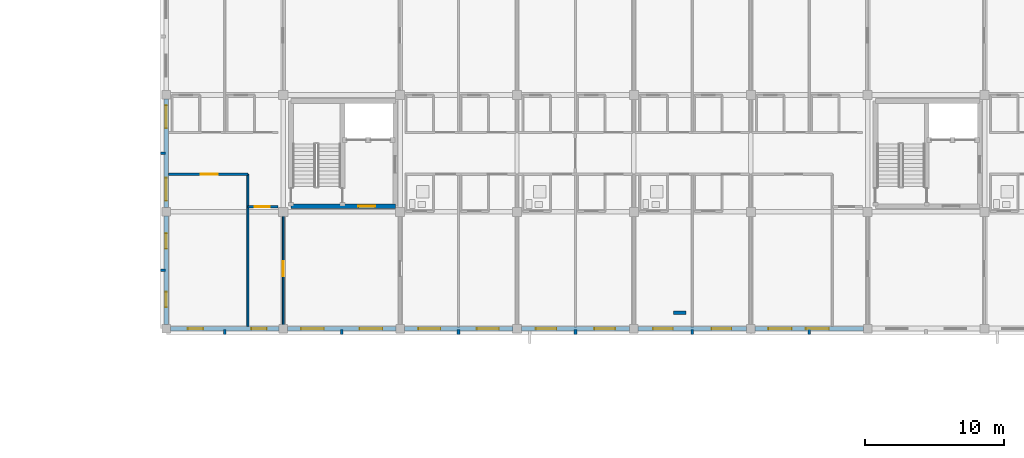
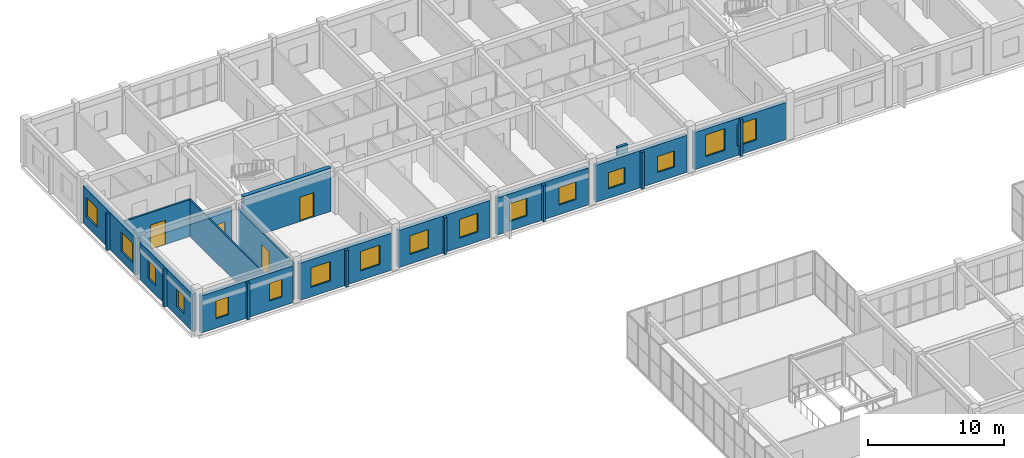
# One storey, part 65 of 81: 22 walls, 16 windows, 4 doors, 20 openings.
"""IFC4 building model written with IfcOpenShell, lengths in metres."""

from ifc_helpers import new_model, si_unit, direction, frame, frame_2d, origin, place, context, subcontext, project, spatial, rectangle, extrude, material, layer, layer_set, type_object, element, fill, save


model = new_model("IFC4")

# Units and contexts
model_context = context("Model", 3, precision=1e-05, world=origin(), true_north=direction((0.0, 1.0)))
body_context = subcontext(model_context, "Body", "Model", "MODEL_VIEW")
ifc_project = project(units=[si_unit("LENGTHUNIT", "METRE"), si_unit("AREAUNIT", "SQUARE_METRE"), si_unit("VOLUMEUNIT", "CUBIC_METRE"), si_unit("PLANEANGLEUNIT", "RADIAN"), si_unit("MASSUNIT", "GRAM", prefix="KILO")], contexts=[model_context])

# Site, building, storey
site_placement = place(None, origin())
site = spatial("IfcSite", under=ifc_project, at=site_placement, CompositionType="ELEMENT")
building_placement = place(site_placement, origin())
building = spatial("IfcBuilding", under=site, at=building_placement, Name="Trelvath General Hospital", CompositionType="ELEMENT")
storey_placement = place(building_placement, frame((0.0, 0.0, 24.60009765625)))
storey = spatial("IfcBuildingStorey", under=building, at=storey_placement, Name="L06", CompositionType="ELEMENT", Elevation=24.60009765625)

# Walls
ifc_material_1 = material(Name="Precast concrete C40/50", Category="concrete")
ifc_layer_1 = layer(ifc_material_1, 0.199951171875)
ifc_layer_set_1 = layer_set([ifc_layer_1], Name="Precast concrete C40/50")
wall_type_1 = type_object("IfcWallType", Name="BriseSoleilRib 200", PredefinedType="ELEMENTEDWALL", material=ifc_layer_set_1)
for number, where, z_axis, x_axis, name in (
    (1, (37.800048828125, 92.324951171875, 0.0), (0.0, 0.0, 1.0), (0.0, -1.0, 0.0), "Precast Concrete Brise-Soleil Rib Fin L06-412"),
    (2, (33.52490234375, 96.60009765625, 0.0), (0.0, 0.0, 1.0), (-1.0, 0.0, 0.0), "Precast Concrete Brise-Soleil Rib Fin L06-413"),
    (3, (33.52490234375, 105.0, 0.0), (0.0, 0.0, 1.0), (-1.0, 0.0, 0.0), "Precast Concrete Brise-Soleil Rib Fin L06-414"),
    (4, (46.199951171875, 92.324951171875, 0.0), (0.0, 0.0, 1.0), (0.0, -1.0, 0.0), "Precast Concrete Brise-Soleil Rib Fin L06-418"),
    (5, (54.60009765625, 92.324951171875, 0.0), (0.0, 0.0, 1.0), (0.0, -1.0, 0.0), "Precast Concrete Brise-Soleil Rib Fin L06-421"),
    (6, (63.0, 92.324951171875, 0.0), (0.0, 0.0, 1.0), (0.0, -1.0, 0.0), "Precast Concrete Brise-Soleil Rib Fin L06-425"),
    (7, (71.39990234375, 92.324951171875, 0.0), (0.0, 0.0, 1.0), (0.0, -1.0, 0.0), "Precast Concrete Brise-Soleil Rib Fin L06-429"),
    (8, (79.800048828125, 92.324951171875, 0.0), (0.0, 0.0, 1.0), (0.0, -1.0, 0.0), "Precast Concrete Brise-Soleil Rib Fin L06-433"),
):
    element("IfcWall", number, at=place(storey_placement, frame(where, z_axis=z_axis, x_axis=x_axis)), inside=storey, type_object=wall_type_1, Name=name, PredefinedType="ELEMENTEDWALL", context=body_context, shape_type="SweptSolid", body=[
        extrude(rectangle(XDim=0.33984375, YDim=0.199951171875, at=frame_2d((0.169921875, 0.0))), origin(), (0.0, 0.0, 1.0), 3.31982421875),
    ])

# Wall, opening, door
ifc_material_2 = material(Name="Gypsum acoustic steel-stud partition", Category="steel")
ifc_layer_2 = layer(ifc_material_2, 0.14990234375)
ifc_layer_set_2 = layer_set([ifc_layer_2], Name="Gypsum acoustic steel-stud partition")
wall_type_2 = type_object("IfcWallType", Name="ClinicalPartition 150", PredefinedType="PARTITIONING", material=ifc_layer_set_2)
wall_1_placement = place(storey_placement, frame((33.739990234375, 103.5, 0.0), z_axis=(0.0, 0.0, 1.0), x_axis=(1.0, 0.0, 0.0)))
wall_1 = element("IfcWall", 9, at=wall_1_placement, inside=storey, type_object=wall_type_2, Name="Nurse Station Partition L06-2156", PredefinedType="PARTITIONING", context=body_context, shape_type="SweptSolid", body=[
    extrude(rectangle(XDim=5.719970703125, YDim=0.14990234375, at=frame_2d((2.85986328125, 0.0))), origin(), (0.0, 0.0, 1.0), 3.31982421875),
])
opening_1_placement = place(wall_1_placement, frame((2.320068359375, 0.0, 0.0)))
opening_1 = element("IfcOpeningElement", 10, at=opening_1_placement, cuts=wall_1, Name="Opening D-6-1371", PredefinedType="OPENING", context=body_context, shape_type="SweptSolid", body=[
    extrude(rectangle(XDim=1.25, YDim=2.199951171875, at=frame_2d((0.625, 1.10009765625))), frame((0.0, 0.0849609375, 0.0), z_axis=(0.0, -1.0, 0.0), x_axis=(1.0, 0.0, 0.0)), (0.0, 0.0, 1.0), 0.169921875),
])
ifc_material_3 = material(Name="Acoustic hospital timber leaf", Category="wood")
door_type_1 = type_object("IfcDoorType", Name="Door Treatment 1250x2200", OperationType="NOTDEFINED", PredefinedType="DOOR", material=ifc_material_3)
door_1_placement = place(opening_1_placement, origin())
door_1 = element("IfcDoor", 11, at=door_1_placement, inside=storey, type_object=door_type_1, Name="Nurse Station Door L06-1371", OperationType="SINGLE_SWING_LEFT", OverallHeight=2.199951171875, OverallWidth=1.25, PredefinedType="DOOR", context=body_context, shape_type="SweptSolid", body=[
    extrude(rectangle(XDim=1.25, YDim=2.199951171875, at=frame_2d((0.625, 1.10009765625))), frame((0.0, 0.02490234375, 0.0), z_axis=(0.0, -1.0, 0.0), x_axis=(1.0, 0.0, 0.0)), (0.0, 0.0, 1.0), 0.050048828125),
])
fill(opening_1, door_1)

wall_2_placement = place(storey_placement, frame((39.4599609375, 101.159912109375, 0.0), z_axis=(0.0, 0.0, 1.0), x_axis=(1.0, 0.0, 0.0)))
wall_2 = element("IfcWall", 12, at=wall_2_placement, inside=storey, type_object=wall_type_2, Name="Clean Utility Partition L06-2158", PredefinedType="PARTITIONING", context=body_context, shape_type="SweptSolid", body=[
    extrude(rectangle(XDim=2.179931640625, YDim=0.14990234375, at=frame_2d((1.08984375, 0.0))), origin(), (0.0, 0.0, 1.0), 3.31982421875),
])
opening_2_placement = place(wall_2_placement, frame((0.5, 0.0, 0.0)))
opening_2 = element("IfcOpeningElement", 13, at=opening_2_placement, cuts=wall_2, Name="Opening D-6-1372", PredefinedType="OPENING", context=body_context, shape_type="SweptSolid", body=[
    extrude(rectangle(XDim=1.080078125, YDim=2.14990234375, at=frame_2d((0.5400390625, 1.074951171875))), frame((0.0, 0.0849609375, 0.0), z_axis=(0.0, -1.0, 0.0), x_axis=(1.0, 0.0, 0.0)), (0.0, 0.0, 1.0), 0.169921875),
])
ifc_material_4 = material(Name="Acoustic hospital timber leaf", Category="wood")
door_type_2 = type_object("IfcDoorType", Name="Door CleanSupply 1080x2150", OperationType="NOTDEFINED", PredefinedType="DOOR", material=ifc_material_4)
door_2_placement = place(opening_2_placement, origin())
door_2 = element("IfcDoor", 14, at=door_2_placement, inside=storey, type_object=door_type_2, Name="Clean Utility Door L06-1372", OperationType="SINGLE_SWING_RIGHT", OverallHeight=2.14990234375, OverallWidth=1.080078125, PredefinedType="DOOR", context=body_context, shape_type="SweptSolid", body=[
    extrude(rectangle(XDim=1.080078125, YDim=2.14990234375, at=frame_2d((0.5400390625, 1.074951171875))), frame((0.0, 0.02490234375, 0.0), z_axis=(0.0, -1.0, 0.0), x_axis=(1.0, 0.0, 0.0)), (0.0, 0.0, 1.0), 0.050048828125),
])
fill(opening_2, door_2)

ifc_material_5 = material(Name="Concrete C40/50", Category="concrete")
ifc_layer_3 = layer(ifc_material_5, 0.35009765625)
ifc_layer_set_3 = layer_set([ifc_layer_3], Name="Concrete C40/50")
wall_type_3 = type_object("IfcWallType", Name="CoreShearWall 350", PredefinedType="SHEAR", material=ifc_layer_set_3)
wall_3_placement = place(storey_placement, frame((42.550048828125, 101.199951171875, 0.0), z_axis=(0.0, 0.0, 1.0), x_axis=(1.0, 0.0, 0.0)))
wall_3 = element("IfcWall", 15, at=wall_3_placement, inside=storey, type_object=wall_type_3, Name="Core Shear Wall C1 S L06", PredefinedType="SHEAR", context=body_context, shape_type="SweptSolid", body=[
    extrude(rectangle(XDim=7.5, YDim=0.35009765625, at=frame_2d((3.75, 0.0))), origin(), (0.0, 0.0, 1.0), 3.919921875),
])
opening_3_placement = place(wall_3_placement, frame((4.85009765625, 0.0, 0.0)))
opening_3 = element("IfcOpeningElement", 16, at=opening_3_placement, cuts=wall_3, Name="Opening FD-LS16", PredefinedType="OPENING", context=body_context, shape_type="SweptSolid", body=[
    extrude(rectangle(XDim=1.199951171875, YDim=2.199951171875, at=frame_2d((0.60009765625, 1.10009765625))), frame((0.0, 0.18505859375, 0.0), z_axis=(0.0, -1.0, 0.0), x_axis=(1.0, 0.0, 0.0)), (0.0, 0.0, 1.0), 0.3701171875),
])
ifc_material_6 = material(Name="Fire-rated steel door", Category="steel")
door_type_3 = type_object("IfcDoorType", Name="Door FireLobby 1200x2200", OperationType="NOTDEFINED", PredefinedType="DOOR", material=ifc_material_6)
door_3_placement = place(opening_3_placement, origin())
door_3 = element("IfcDoor", 17, at=door_3_placement, inside=storey, type_object=door_type_3, Name="Fire Lobby South Door C1 L06", OperationType="SINGLE_SWING_RIGHT", OverallHeight=2.199951171875, OverallWidth=1.199951171875, PredefinedType="DOOR", context=body_context, shape_type="SweptSolid", body=[
    extrude(rectangle(XDim=1.199951171875, YDim=2.199951171875, at=frame_2d((0.60009765625, 1.10009765625))), frame((0.0, 0.02490234375, 0.0), z_axis=(0.0, -1.0, 0.0), x_axis=(1.0, 0.0, 0.0)), (0.0, 0.0, 1.0), 0.050048828125),
])
fill(opening_3, door_3)

# Wall, openings, windows
ifc_material_7 = material(Name="Concrete C35/45", Category="concrete")
ifc_layer_4 = layer(ifc_material_7, 0.320068359375)
ifc_layer_set_4 = layer_set([ifc_layer_4], Name="Concrete C35/45")
wall_type_4 = type_object("IfcWallType", Name="ExtThermalWall 320", PredefinedType="SOLIDWALL", material=ifc_layer_set_4)
wall_4_placement = place(storey_placement, frame((41.695068359375, 92.39990234375, 0.0), z_axis=(0.0, 0.0, 1.0), x_axis=(-1.0, 0.0, 0.0)))
wall_4 = element("IfcWall", 18, at=wall_4_placement, inside=storey, type_object=wall_type_4, Name="Exterior Concrete Wall L06-555", PredefinedType="SOLIDWALL", context=body_context, shape_type="SweptSolid", body=[
    extrude(rectangle(XDim=7.7900390625, YDim=0.320068359375, at=frame_2d((3.89501953125, 0.0))), origin(), (0.0, 0.0, 1.0), 3.33984375),
])
opening_4_placement = place(wall_4_placement, frame((0.889892578125, 0.0, 0.85009765625)))
opening_4 = element("IfcOpeningElement", 19, at=opening_4_placement, cuts=wall_4, Name="Opening WN-6-925", PredefinedType="OPENING", context=body_context, shape_type="SweptSolid", body=[
    extrude(rectangle(XDim=1.10009765625, YDim=1.60009765625, at=frame_2d((0.550048828125, 0.800048828125))), frame((0.0, 0.169921875, 0.0), z_axis=(0.0, -1.0, 0.0), x_axis=(1.0, 0.0, 0.0)), (0.0, 0.0, 1.0), 0.340087890625),
])
opening_5_placement = place(wall_4_placement, frame((5.4482421875, 0.0, 0.85009765625)))
opening_5 = element("IfcOpeningElement", 20, at=opening_5_placement, cuts=wall_4, Name="Opening WN-6-926", PredefinedType="OPENING", context=body_context, shape_type="SweptSolid", body=[
    extrude(rectangle(XDim=1.10009765625, YDim=1.60009765625, at=frame_2d((0.550048828125, 0.800048828125))), frame((0.0, 0.169921875, 0.0), z_axis=(0.0, -1.0, 0.0), x_axis=(1.0, 0.0, 0.0)), (0.0, 0.0, 1.0), 0.340087890625),
])
ifc_material_8 = material(Name="Low-E laminated glass", Category="glass")
window_type_1 = type_object("IfcWindowType", Name="Window DeepReveal 1100x1600", PartitioningType="SINGLE_PANEL", PredefinedType="WINDOW", material=ifc_material_8)
window_1_placement = place(opening_4_placement, origin())
window_1 = element("IfcWindow", 21, at=window_1_placement, inside=storey, type_object=window_type_1, Name="Solar Reveal Window L06-925", OverallHeight=1.60009765625, OverallWidth=1.10009765625, PartitioningType="SINGLE_PANEL", PredefinedType="WINDOW", context=body_context, shape_type="SweptSolid", body=[
    extrude(rectangle(XDim=1.10009765625, YDim=1.60009765625, at=frame_2d((0.550048828125, 0.800048828125))), frame((0.0, 0.030029296875, 0.0), z_axis=(0.0, -1.0, 0.0), x_axis=(1.0, 0.0, 0.0)), (0.0, 0.0, 1.0), 0.06005859375),
])
fill(opening_4, window_1)
window_2_placement = place(opening_5_placement, origin())
window_2 = element("IfcWindow", 22, at=window_2_placement, inside=storey, type_object=window_type_1, Name="Solar Reveal Window L06-926", OverallHeight=1.60009765625, OverallWidth=1.10009765625, PartitioningType="SINGLE_PANEL", PredefinedType="WINDOW", context=body_context, shape_type="SweptSolid", body=[
    extrude(rectangle(XDim=1.10009765625, YDim=1.60009765625, at=frame_2d((0.550048828125, 0.800048828125))), frame((0.0, 0.030029296875, 0.0), z_axis=(0.0, -1.0, 0.0), x_axis=(1.0, 0.0, 0.0)), (0.0, 0.0, 1.0), 0.06005859375),
])
fill(opening_5, window_2)

wall_5_placement = place(storey_placement, frame((33.60009765625, 92.705078125, 0.0), z_axis=(0.0, 0.0, 1.0), x_axis=(0.0, 1.0, 0.0)))
wall_5 = element("IfcWall", 23, at=wall_5_placement, inside=storey, type_object=wall_type_4, Name="Exterior Concrete Wall L06-556", PredefinedType="SOLIDWALL", context=body_context, shape_type="SweptSolid", body=[
    extrude(rectangle(XDim=7.7900390625, YDim=0.320068359375, at=frame_2d((3.89501953125, 0.0))), origin(), (0.0, 0.0, 1.0), 3.33984375),
])
opening_6_placement = place(wall_5_placement, frame((1.24169921875, 0.0, 0.85009765625)))
opening_6 = element("IfcOpeningElement", 24, at=opening_6_placement, cuts=wall_5, Name="Opening WN-6-927", PredefinedType="OPENING", context=body_context, shape_type="SweptSolid", body=[
    extrude(rectangle(XDim=1.10009765625, YDim=1.60009765625, at=frame_2d((0.550048828125, 0.800048828125))), frame((0.0, 0.169921875, 0.0), z_axis=(0.0, -1.0, 0.0), x_axis=(1.0, 0.0, 0.0)), (0.0, 0.0, 1.0), 0.340087890625),
])
opening_7_placement = place(wall_5_placement, frame((5.4482421875, 0.0, 0.85009765625)))
opening_7 = element("IfcOpeningElement", 25, at=opening_7_placement, cuts=wall_5, Name="Opening WN-6-928", PredefinedType="OPENING", context=body_context, shape_type="SweptSolid", body=[
    extrude(rectangle(XDim=1.10009765625, YDim=1.60009765625, at=frame_2d((0.550048828125, 0.800048828125))), frame((0.0, 0.169921875, 0.0), z_axis=(0.0, -1.0, 0.0), x_axis=(1.0, 0.0, 0.0)), (0.0, 0.0, 1.0), 0.340087890625),
])
window_3_placement = place(opening_6_placement, origin())
window_3 = element("IfcWindow", 26, at=window_3_placement, inside=storey, type_object=window_type_1, Name="Solar Reveal Window L06-927", OverallHeight=1.60009765625, OverallWidth=1.10009765625, PartitioningType="SINGLE_PANEL", PredefinedType="WINDOW", context=body_context, shape_type="SweptSolid", body=[
    extrude(rectangle(XDim=1.10009765625, YDim=1.60009765625, at=frame_2d((0.550048828125, 0.800048828125))), frame((0.0, 0.030029296875, 0.0), z_axis=(0.0, -1.0, 0.0), x_axis=(1.0, 0.0, 0.0)), (0.0, 0.0, 1.0), 0.06005859375),
])
fill(opening_6, window_3)
window_4_placement = place(opening_7_placement, origin())
window_4 = element("IfcWindow", 27, at=window_4_placement, inside=storey, type_object=window_type_1, Name="Solar Reveal Window L06-928", OverallHeight=1.60009765625, OverallWidth=1.10009765625, PartitioningType="SINGLE_PANEL", PredefinedType="WINDOW", context=body_context, shape_type="SweptSolid", body=[
    extrude(rectangle(XDim=1.10009765625, YDim=1.60009765625, at=frame_2d((0.550048828125, 0.800048828125))), frame((0.0, 0.030029296875, 0.0), z_axis=(0.0, -1.0, 0.0), x_axis=(1.0, 0.0, 0.0)), (0.0, 0.0, 1.0), 0.06005859375),
])
fill(opening_7, window_4)

wall_6_placement = place(storey_placement, frame((33.60009765625, 101.10498046875, 0.0), z_axis=(0.0, 0.0, 1.0), x_axis=(0.0, 1.0, 0.0)))
wall_6 = element("IfcWall", 28, at=wall_6_placement, inside=storey, type_object=wall_type_4, Name="Exterior Concrete Wall L06-557", PredefinedType="SOLIDWALL", context=body_context, shape_type="SweptSolid", body=[
    extrude(rectangle(XDim=7.7900390625, YDim=0.320068359375, at=frame_2d((3.89501953125, 0.0))), origin(), (0.0, 0.0, 1.0), 3.33984375),
])
opening_8_placement = place(wall_6_placement, frame((0.5, 0.0, 0.85009765625)))
opening_8 = element("IfcOpeningElement", 29, at=opening_8_placement, cuts=wall_6, Name="Opening WN-6-929", PredefinedType="OPENING", context=body_context, shape_type="SweptSolid", body=[
    extrude(rectangle(XDim=1.639892578125, YDim=1.75, at=frame_2d((0.81982421875, 0.875))), frame((0.0, 0.169921875, 0.0), z_axis=(0.0, -1.0, 0.0), x_axis=(1.0, 0.0, 0.0)), (0.0, 0.0, 1.0), 0.340087890625),
])
opening_9_placement = place(wall_6_placement, frame((5.699951171875, 0.0, 0.85009765625)))
opening_9 = element("IfcOpeningElement", 30, at=opening_9_placement, cuts=wall_6, Name="Opening WN-6-930", PredefinedType="OPENING", context=body_context, shape_type="SweptSolid", body=[
    extrude(rectangle(XDim=1.639892578125, YDim=1.75, at=frame_2d((0.81982421875, 0.875))), frame((0.0, 0.169921875, 0.0), z_axis=(0.0, -1.0, 0.0), x_axis=(1.0, 0.0, 0.0)), (0.0, 0.0, 1.0), 0.340087890625),
])
ifc_material_9 = material(Name="Low-E laminated glass", Category="glass")
window_type_2 = type_object("IfcWindowType", Name="Window ICU 1640x1750", PartitioningType="DOUBLE_PANEL_VERTICAL", PredefinedType="WINDOW", material=ifc_material_9)
window_5_placement = place(opening_8_placement, origin())
window_5 = element("IfcWindow", 31, at=window_5_placement, inside=storey, type_object=window_type_2, Name="Solar Reveal Window L06-929", OverallHeight=1.75, OverallWidth=1.639892578125, PartitioningType="SINGLE_PANEL", PredefinedType="WINDOW", context=body_context, shape_type="SweptSolid", body=[
    extrude(rectangle(XDim=1.639892578125, YDim=1.75, at=frame_2d((0.81982421875, 0.875))), frame((0.0, 0.030029296875, 0.0), z_axis=(0.0, -1.0, 0.0), x_axis=(1.0, 0.0, 0.0)), (0.0, 0.0, 1.0), 0.06005859375),
])
fill(opening_8, window_5)
window_6_placement = place(opening_9_placement, origin())
window_6 = element("IfcWindow", 32, at=window_6_placement, inside=storey, type_object=window_type_2, Name="Solar Reveal Window L06-930", OverallHeight=1.75, OverallWidth=1.639892578125, PartitioningType="SINGLE_PANEL", PredefinedType="WINDOW", context=body_context, shape_type="SweptSolid", body=[
    extrude(rectangle(XDim=1.639892578125, YDim=1.75, at=frame_2d((0.81982421875, 0.875))), frame((0.0, 0.030029296875, 0.0), z_axis=(0.0, -1.0, 0.0), x_axis=(1.0, 0.0, 0.0)), (0.0, 0.0, 1.0), 0.06005859375),
])
fill(opening_9, window_6)

wall_7_placement = place(storey_placement, frame((50.094970703125, 92.39990234375, 0.0), z_axis=(0.0, 0.0, 1.0), x_axis=(-1.0, 0.0, 0.0)))
wall_7 = element("IfcWall", 33, at=wall_7_placement, inside=storey, type_object=wall_type_4, Name="Exterior Concrete Wall L06-561", PredefinedType="SOLIDWALL", context=body_context, shape_type="SweptSolid", body=[
    extrude(rectangle(XDim=7.7900390625, YDim=0.320068359375, at=frame_2d((3.89501953125, 0.0))), origin(), (0.0, 0.0, 1.0), 3.33984375),
])
opening_10_placement = place(wall_7_placement, frame((0.9716796875, 0.0, 0.85009765625)))
opening_10 = element("IfcOpeningElement", 34, at=opening_10_placement, cuts=wall_7, Name="Opening WN-6-937", PredefinedType="OPENING", context=body_context, shape_type="SweptSolid", body=[
    extrude(rectangle(XDim=1.639892578125, YDim=1.75, at=frame_2d((0.81982421875, 0.875))), frame((0.0, 0.169921875, 0.0), z_axis=(0.0, -1.0, 0.0), x_axis=(1.0, 0.0, 0.0)), (0.0, 0.0, 1.0), 0.340087890625),
])
opening_11_placement = place(wall_7_placement, frame((5.17822265625, 0.0, 0.85009765625)))
opening_11 = element("IfcOpeningElement", 35, at=opening_11_placement, cuts=wall_7, Name="Opening WN-6-938", PredefinedType="OPENING", context=body_context, shape_type="SweptSolid", body=[
    extrude(rectangle(XDim=1.639892578125, YDim=1.75, at=frame_2d((0.81982421875, 0.875))), frame((0.0, 0.169921875, 0.0), z_axis=(0.0, -1.0, 0.0), x_axis=(1.0, 0.0, 0.0)), (0.0, 0.0, 1.0), 0.340087890625),
])
window_7_placement = place(opening_10_placement, origin())
window_7 = element("IfcWindow", 36, at=window_7_placement, inside=storey, type_object=window_type_2, Name="Solar Reveal Window L06-937", OverallHeight=1.75, OverallWidth=1.639892578125, PartitioningType="SINGLE_PANEL", PredefinedType="WINDOW", context=body_context, shape_type="SweptSolid", body=[
    extrude(rectangle(XDim=1.639892578125, YDim=1.75, at=frame_2d((0.81982421875, 0.875))), frame((0.0, 0.030029296875, 0.0), z_axis=(0.0, -1.0, 0.0), x_axis=(1.0, 0.0, 0.0)), (0.0, 0.0, 1.0), 0.06005859375),
])
fill(opening_10, window_7)
window_8_placement = place(opening_11_placement, origin())
window_8 = element("IfcWindow", 37, at=window_8_placement, inside=storey, type_object=window_type_2, Name="Solar Reveal Window L06-938", OverallHeight=1.75, OverallWidth=1.639892578125, PartitioningType="SINGLE_PANEL", PredefinedType="WINDOW", context=body_context, shape_type="SweptSolid", body=[
    extrude(rectangle(XDim=1.639892578125, YDim=1.75, at=frame_2d((0.81982421875, 0.875))), frame((0.0, 0.030029296875, 0.0), z_axis=(0.0, -1.0, 0.0), x_axis=(1.0, 0.0, 0.0)), (0.0, 0.0, 1.0), 0.06005859375),
])
fill(opening_11, window_8)

wall_8_placement = place(storey_placement, frame((58.4951171875, 92.39990234375, 0.0), z_axis=(0.0, 0.0, 1.0), x_axis=(-1.0, 0.0, 0.0)))
wall_8 = element("IfcWall", 38, at=wall_8_placement, inside=storey, type_object=wall_type_4, Name="Exterior Concrete Wall L06-564", PredefinedType="SOLIDWALL", context=body_context, shape_type="SweptSolid", body=[
    extrude(rectangle(XDim=7.7900390625, YDim=0.320068359375, at=frame_2d((3.89501953125, 0.0))), origin(), (0.0, 0.0, 1.0), 3.33984375),
])
opening_12_placement = place(wall_8_placement, frame((1.001708984375, 0.0, 0.85009765625)))
opening_12 = element("IfcOpeningElement", 39, at=opening_12_placement, cuts=wall_8, Name="Opening WN-6-943", PredefinedType="OPENING", context=body_context, shape_type="SweptSolid", body=[
    extrude(rectangle(XDim=1.580078125, YDim=1.699951171875, at=frame_2d((0.7900390625, 0.85009765625))), frame((0.0, 0.169921875, 0.0), z_axis=(0.0, -1.0, 0.0), x_axis=(1.0, 0.0, 0.0)), (0.0, 0.0, 1.0), 0.340087890625),
])
opening_13_placement = place(wall_8_placement, frame((5.208251953125, 0.0, 0.85009765625)))
opening_13 = element("IfcOpeningElement", 40, at=opening_13_placement, cuts=wall_8, Name="Opening WN-6-944", PredefinedType="OPENING", context=body_context, shape_type="SweptSolid", body=[
    extrude(rectangle(XDim=1.580078125, YDim=1.699951171875, at=frame_2d((0.7900390625, 0.85009765625))), frame((0.0, 0.169921875, 0.0), z_axis=(0.0, -1.0, 0.0), x_axis=(1.0, 0.0, 0.0)), (0.0, 0.0, 1.0), 0.340087890625),
])
ifc_material_10 = material(Name="Low-E laminated glass", Category="glass")
window_type_3 = type_object("IfcWindowType", Name="Window Recovery 1580x1700", PartitioningType="DOUBLE_PANEL_VERTICAL", PredefinedType="WINDOW", material=ifc_material_10)
window_9_placement = place(opening_12_placement, origin())
window_9 = element("IfcWindow", 41, at=window_9_placement, inside=storey, type_object=window_type_3, Name="Solar Reveal Window L06-943", OverallHeight=1.699951171875, OverallWidth=1.580078125, PartitioningType="SINGLE_PANEL", PredefinedType="WINDOW", context=body_context, shape_type="SweptSolid", body=[
    extrude(rectangle(XDim=1.580078125, YDim=1.699951171875, at=frame_2d((0.7900390625, 0.85009765625))), frame((0.0, 0.030029296875, 0.0), z_axis=(0.0, -1.0, 0.0), x_axis=(1.0, 0.0, 0.0)), (0.0, 0.0, 1.0), 0.06005859375),
])
fill(opening_12, window_9)
window_10_placement = place(opening_13_placement, origin())
window_10 = element("IfcWindow", 42, at=window_10_placement, inside=storey, type_object=window_type_3, Name="Solar Reveal Window L06-944", OverallHeight=1.699951171875, OverallWidth=1.580078125, PartitioningType="SINGLE_PANEL", PredefinedType="WINDOW", context=body_context, shape_type="SweptSolid", body=[
    extrude(rectangle(XDim=1.580078125, YDim=1.699951171875, at=frame_2d((0.7900390625, 0.85009765625))), frame((0.0, 0.030029296875, 0.0), z_axis=(0.0, -1.0, 0.0), x_axis=(1.0, 0.0, 0.0)), (0.0, 0.0, 1.0), 0.06005859375),
])
fill(opening_13, window_10)

wall_9_placement = place(storey_placement, frame((66.89501953125, 92.39990234375, 0.0), z_axis=(0.0, 0.0, 1.0), x_axis=(-1.0, 0.0, 0.0)))
wall_9 = element("IfcWall", 43, at=wall_9_placement, inside=storey, type_object=wall_type_4, Name="Exterior Concrete Wall L06-568", PredefinedType="SOLIDWALL", context=body_context, shape_type="SweptSolid", body=[
    extrude(rectangle(XDim=7.7900390625, YDim=0.320068359375, at=frame_2d((3.89501953125, 0.0))), origin(), (0.0, 0.0, 1.0), 3.33984375),
])
opening_14_placement = place(wall_9_placement, frame((1.0517578125, 0.0, 0.85009765625)))
opening_14 = element("IfcOpeningElement", 44, at=opening_14_placement, cuts=wall_9, Name="Opening WN-6-951", PredefinedType="OPENING", context=body_context, shape_type="SweptSolid", body=[
    extrude(rectangle(XDim=1.47998046875, YDim=1.60009765625, at=frame_2d((0.739990234375, 0.800048828125))), frame((0.0, 0.169921875, 0.0), z_axis=(0.0, -1.0, 0.0), x_axis=(1.0, 0.0, 0.0)), (0.0, 0.0, 1.0), 0.340087890625),
])
opening_15_placement = place(wall_9_placement, frame((5.25830078125, 0.0, 0.85009765625)))
opening_15 = element("IfcOpeningElement", 45, at=opening_15_placement, cuts=wall_9, Name="Opening WN-6-952", PredefinedType="OPENING", context=body_context, shape_type="SweptSolid", body=[
    extrude(rectangle(XDim=1.47998046875, YDim=1.60009765625, at=frame_2d((0.739990234375, 0.800048828125))), frame((0.0, 0.169921875, 0.0), z_axis=(0.0, -1.0, 0.0), x_axis=(1.0, 0.0, 0.0)), (0.0, 0.0, 1.0), 0.340087890625),
])
ifc_material_11 = material(Name="Low-E laminated glass", Category="glass")
window_type_4 = type_object("IfcWindowType", Name="Window Clinic 1480x1600", PartitioningType="DOUBLE_PANEL_VERTICAL", PredefinedType="WINDOW", material=ifc_material_11)
window_11_placement = place(opening_14_placement, origin())
window_11 = element("IfcWindow", 46, at=window_11_placement, inside=storey, type_object=window_type_4, Name="Solar Reveal Window L06-951", OverallHeight=1.60009765625, OverallWidth=1.47998046875, PartitioningType="SINGLE_PANEL", PredefinedType="WINDOW", context=body_context, shape_type="SweptSolid", body=[
    extrude(rectangle(XDim=1.47998046875, YDim=1.60009765625, at=frame_2d((0.739990234375, 0.800048828125))), frame((0.0, 0.030029296875, 0.0), z_axis=(0.0, -1.0, 0.0), x_axis=(1.0, 0.0, 0.0)), (0.0, 0.0, 1.0), 0.06005859375),
])
fill(opening_14, window_11)
window_12_placement = place(opening_15_placement, origin())
window_12 = element("IfcWindow", 47, at=window_12_placement, inside=storey, type_object=window_type_4, Name="Solar Reveal Window L06-952", OverallHeight=1.60009765625, OverallWidth=1.47998046875, PartitioningType="SINGLE_PANEL", PredefinedType="WINDOW", context=body_context, shape_type="SweptSolid", body=[
    extrude(rectangle(XDim=1.47998046875, YDim=1.60009765625, at=frame_2d((0.739990234375, 0.800048828125))), frame((0.0, 0.030029296875, 0.0), z_axis=(0.0, -1.0, 0.0), x_axis=(1.0, 0.0, 0.0)), (0.0, 0.0, 1.0), 0.06005859375),
])
fill(opening_15, window_12)

wall_10_placement = place(storey_placement, frame((75.294921875, 92.39990234375, 0.0), z_axis=(0.0, 0.0, 1.0), x_axis=(-1.0, 0.0, 0.0)))
wall_10 = element("IfcWall", 48, at=wall_10_placement, inside=storey, type_object=wall_type_4, Name="Exterior Concrete Wall L06-572", PredefinedType="SOLIDWALL", context=body_context, shape_type="SweptSolid", body=[
    extrude(rectangle(XDim=7.7900390625, YDim=0.320068359375, at=frame_2d((3.89501953125, 0.0))), origin(), (0.0, 0.0, 1.0), 3.33984375),
])
opening_16_placement = place(wall_10_placement, frame((1.081787109375, 0.0, 0.85009765625)))
opening_16 = element("IfcOpeningElement", 49, at=opening_16_placement, cuts=wall_10, Name="Opening WN-6-959", PredefinedType="OPENING", context=body_context, shape_type="SweptSolid", body=[
    extrude(rectangle(XDim=1.419921875, YDim=1.449951171875, at=frame_2d((0.7099609375, 0.72509765625))), frame((0.0, 0.169921875, 0.0), z_axis=(0.0, -1.0, 0.0), x_axis=(1.0, 0.0, 0.0)), (0.0, 0.0, 1.0), 0.340087890625),
])
opening_17_placement = place(wall_10_placement, frame((5.288330078125, 0.0, 0.85009765625)))
opening_17 = element("IfcOpeningElement", 50, at=opening_17_placement, cuts=wall_10, Name="Opening WN-6-960", PredefinedType="OPENING", context=body_context, shape_type="SweptSolid", body=[
    extrude(rectangle(XDim=1.419921875, YDim=1.449951171875, at=frame_2d((0.7099609375, 0.72509765625))), frame((0.0, 0.169921875, 0.0), z_axis=(0.0, -1.0, 0.0), x_axis=(1.0, 0.0, 0.0)), (0.0, 0.0, 1.0), 0.340087890625),
])
ifc_material_12 = material(Name="Low-E laminated glass", Category="glass")
window_type_5 = type_object("IfcWindowType", Name="Window Lab 1420x1450", PartitioningType="DOUBLE_PANEL_VERTICAL", PredefinedType="WINDOW", material=ifc_material_12)
window_13_placement = place(opening_16_placement, origin())
window_13 = element("IfcWindow", 51, at=window_13_placement, inside=storey, type_object=window_type_5, Name="Solar Reveal Window L06-959", OverallHeight=1.449951171875, OverallWidth=1.419921875, PartitioningType="SINGLE_PANEL", PredefinedType="WINDOW", context=body_context, shape_type="SweptSolid", body=[
    extrude(rectangle(XDim=1.419921875, YDim=1.449951171875, at=frame_2d((0.7099609375, 0.72509765625))), frame((0.0, 0.030029296875, 0.0), z_axis=(0.0, -1.0, 0.0), x_axis=(1.0, 0.0, 0.0)), (0.0, 0.0, 1.0), 0.06005859375),
])
fill(opening_16, window_13)
window_14_placement = place(opening_17_placement, origin())
window_14 = element("IfcWindow", 52, at=window_14_placement, inside=storey, type_object=window_type_5, Name="Solar Reveal Window L06-960", OverallHeight=1.449951171875, OverallWidth=1.419921875, PartitioningType="SINGLE_PANEL", PredefinedType="WINDOW", context=body_context, shape_type="SweptSolid", body=[
    extrude(rectangle(XDim=1.419921875, YDim=1.449951171875, at=frame_2d((0.7099609375, 0.72509765625))), frame((0.0, 0.030029296875, 0.0), z_axis=(0.0, -1.0, 0.0), x_axis=(1.0, 0.0, 0.0)), (0.0, 0.0, 1.0), 0.06005859375),
])
fill(opening_17, window_14)

wall_11_placement = place(storey_placement, frame((83.695068359375, 92.39990234375, 0.0), z_axis=(0.0, 0.0, 1.0), x_axis=(-1.0, 0.0, 0.0)))
wall_11 = element("IfcWall", 53, at=wall_11_placement, inside=storey, type_object=wall_type_4, Name="Exterior Concrete Wall L06-579", PredefinedType="SOLIDWALL", context=body_context, shape_type="SweptSolid", body=[
    extrude(rectangle(XDim=7.7900390625, YDim=0.320068359375, at=frame_2d((3.89501953125, 0.0))), origin(), (0.0, 0.0, 1.0), 3.33984375),
])
opening_18_placement = place(wall_11_placement, frame((2.47998046875, 0.0, 0.85009765625)))
opening_18 = element("IfcOpeningElement", 54, at=opening_18_placement, cuts=wall_11, Name="Opening WN-6-969", PredefinedType="OPENING", context=body_context, shape_type="SweptSolid", body=[
    extrude(rectangle(XDim=1.659912109375, YDim=1.949951171875, at=frame_2d((0.830078125, 0.97509765625))), frame((0.0, 0.169921875, 0.0), z_axis=(0.0, -1.0, 0.0), x_axis=(1.0, 0.0, 0.0)), (0.0, 0.0, 1.0), 0.340087890625),
])
opening_19_placement = place(wall_11_placement, frame((5.168212890625, 0.0, 0.85009765625)))
opening_19 = element("IfcOpeningElement", 55, at=opening_19_placement, cuts=wall_11, Name="Opening WN-6-970", PredefinedType="OPENING", context=body_context, shape_type="SweptSolid", body=[
    extrude(rectangle(XDim=1.659912109375, YDim=1.949951171875, at=frame_2d((0.830078125, 0.97509765625))), frame((0.0, 0.169921875, 0.0), z_axis=(0.0, -1.0, 0.0), x_axis=(1.0, 0.0, 0.0)), (0.0, 0.0, 1.0), 0.340087890625),
])
ifc_material_13 = material(Name="Low-E laminated glass", Category="glass")
window_type_6 = type_object("IfcWindowType", Name="Window Dayroom 1660x1950", PartitioningType="DOUBLE_PANEL_VERTICAL", PredefinedType="WINDOW", material=ifc_material_13)
window_15_placement = place(opening_18_placement, origin())
window_15 = element("IfcWindow", 56, at=window_15_placement, inside=storey, type_object=window_type_6, Name="Solar Reveal Window L06-969", OverallHeight=1.949951171875, OverallWidth=1.659912109375, PartitioningType="SINGLE_PANEL", PredefinedType="WINDOW", context=body_context, shape_type="SweptSolid", body=[
    extrude(rectangle(XDim=1.659912109375, YDim=1.949951171875, at=frame_2d((0.830078125, 0.97509765625))), frame((0.0, 0.030029296875, 0.0), z_axis=(0.0, -1.0, 0.0), x_axis=(1.0, 0.0, 0.0)), (0.0, 0.0, 1.0), 0.06005859375),
])
fill(opening_18, window_15)
window_16_placement = place(opening_19_placement, origin())
window_16 = element("IfcWindow", 57, at=window_16_placement, inside=storey, type_object=window_type_6, Name="Solar Reveal Window L06-970", OverallHeight=1.949951171875, OverallWidth=1.659912109375, PartitioningType="SINGLE_PANEL", PredefinedType="WINDOW", context=body_context, shape_type="SweptSolid", body=[
    extrude(rectangle(XDim=1.659912109375, YDim=1.949951171875, at=frame_2d((0.830078125, 0.97509765625))), frame((0.0, 0.030029296875, 0.0), z_axis=(0.0, -1.0, 0.0), x_axis=(1.0, 0.0, 0.0)), (0.0, 0.0, 1.0), 0.06005859375),
])
fill(opening_19, window_16)

# Walls
ifc_material_14 = material(Name="Masonry service chase blockwork", Category="masonry")
ifc_layer_5 = layer(ifc_material_14, 0.239990234375)
ifc_layer_set_5 = layer_set([ifc_layer_5], Name="Masonry service chase blockwork")
wall_type_5 = type_object("IfcWallType", Name="PlumbingChaseWall 240", PredefinedType="PLUMBINGWALL", material=ifc_layer_set_5)
wall_12_placement = place(storey_placement, frame((70.050048828125, 93.550048828125, 0.0), z_axis=(0.0, 0.0, 1.0), x_axis=(1.0, 0.0, 0.0)))
element("IfcWall", 58, at=wall_12_placement, inside=storey, type_object=wall_type_5, Name="Medical Gas Plumbing Chase L06-2216", PredefinedType="PLUMBINGWALL", context=body_context, shape_type="SweptSolid", body=[
    extrude(rectangle(XDim=0.89990234375, YDim=0.239990234375, at=frame_2d((0.449951171875, 0.0))), origin(), (0.0, 0.0, 1.0), 3.31982421875),
])
ifc_material_15 = material(Name="Gypsum acoustic steel-stud partition", Category="steel")
ifc_layer_6 = layer(ifc_material_15, 0.1298828125)
ifc_layer_set_6 = layer_set([ifc_layer_6], Name="Gypsum acoustic steel-stud partition")
wall_type_6 = type_object("IfcWallType", Name="WardPartition 130", PredefinedType="PARTITIONING", material=ifc_layer_set_6)
wall_13_placement = place(storey_placement, frame((39.4599609375, 92.56005859375, 0.0), z_axis=(0.0, 0.0, 1.0), x_axis=(0.0, 1.0, 0.0)))
element("IfcWall", 59, at=wall_13_placement, inside=storey, type_object=wall_type_6, Name="Nurse Alcove Partition L06-2157", PredefinedType="PARTITIONING", context=body_context, shape_type="SweptSolid", body=[
    extrude(rectangle(XDim=10.93994140625, YDim=0.1298828125, at=frame_2d((5.469970703125, 0.0))), origin(), (0.0, 0.0, 1.0), 3.31982421875),
])

# Wall, opening, door
wall_14_placement = place(storey_placement, frame((42.0, 92.5400390625, 0.0), z_axis=(0.0, 0.0, 1.0), x_axis=(0.0, 1.0, 0.0)))
wall_14 = element("IfcWall", 60, at=wall_14_placement, inside=storey, type_object=wall_type_6, Name="Inter-Bay Ward Partition S L06-2167", PredefinedType="PARTITIONING", context=body_context, shape_type="SweptSolid", body=[
    extrude(rectangle(XDim=8.2099609375, YDim=0.1298828125, at=frame_2d((4.10498046875, 0.0))), origin(), (0.0, 0.0, 1.0), 3.31982421875),
])
opening_20_placement = place(wall_14_placement, frame((3.639892578125, 0.0, 0.0)))
opening_20 = element("IfcOpeningElement", 61, at=opening_20_placement, cuts=wall_14, Name="Opening D-6-1377", PredefinedType="OPENING", context=body_context, shape_type="SweptSolid", body=[
    extrude(rectangle(XDim=1.080078125, YDim=2.14990234375, at=frame_2d((0.5400390625, 1.074951171875))), frame((0.0, 0.074951171875, 0.0), z_axis=(0.0, -1.0, 0.0), x_axis=(1.0, 0.0, 0.0)), (0.0, 0.0, 1.0), 0.14990234375),
])
door_4_placement = place(opening_20_placement, origin())
door_4 = element("IfcDoor", 62, at=door_4_placement, inside=storey, type_object=door_type_2, Name="Clean Supply Connecting Door L06-1377", OperationType="SINGLE_SWING_RIGHT", OverallHeight=2.14990234375, OverallWidth=1.080078125, PredefinedType="DOOR", context=body_context, shape_type="SweptSolid", body=[
    extrude(rectangle(XDim=1.080078125, YDim=2.14990234375, at=frame_2d((0.5400390625, 1.074951171875))), frame((0.0, 0.02490234375, 0.0), z_axis=(0.0, -1.0, 0.0), x_axis=(1.0, 0.0, 0.0)), (0.0, 0.0, 1.0), 0.050048828125),
])
fill(opening_20, door_4)

save(model, "model.ifc")
